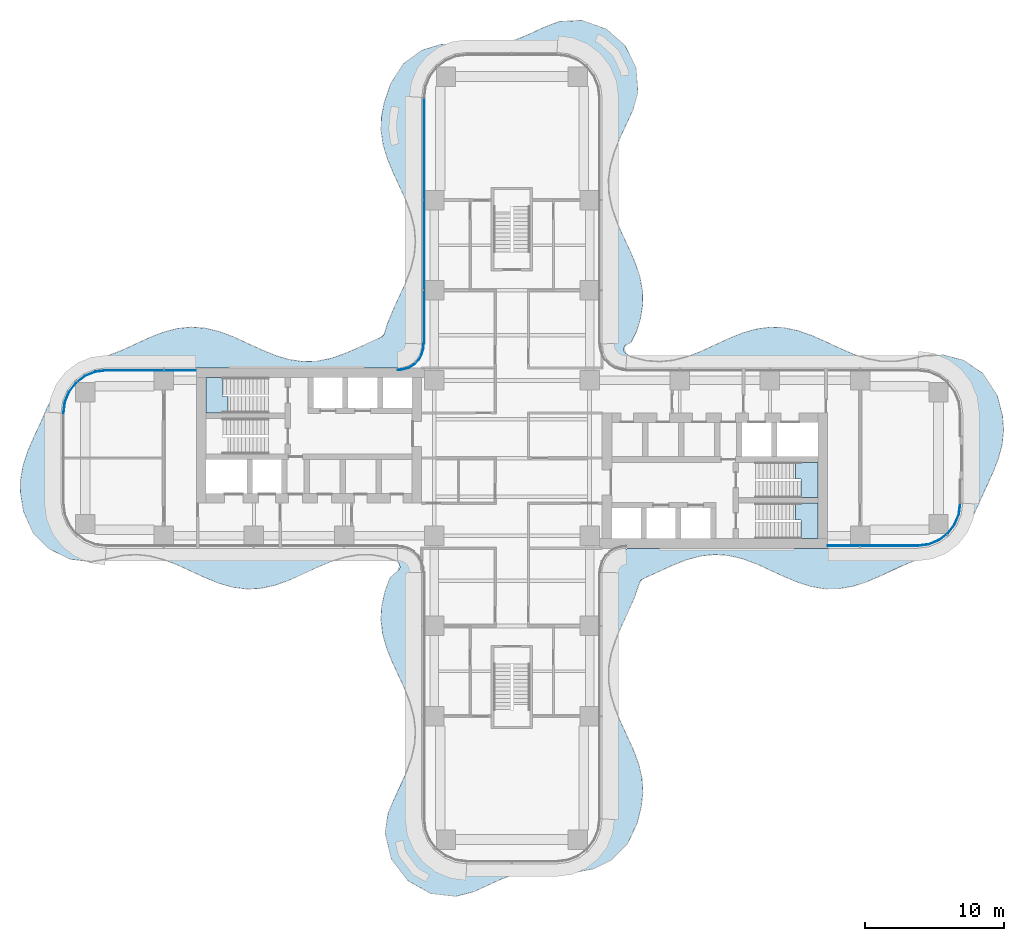
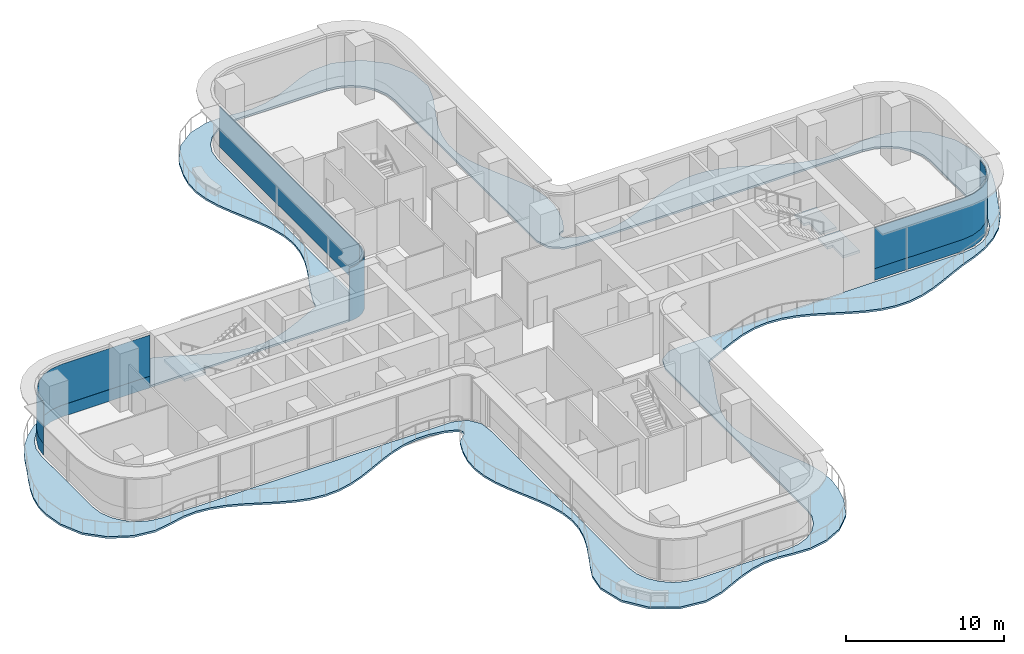
# One storey, part 15 of 22: 6 plates, 4 slabs, 7 elements without a shape of their own.
"""IFC4 building model written with IfcOpenShell, lengths in metres."""

from ifc_helpers import new_model, si_unit, direction, frame, origin, place, context, subcontext, project, spatial, polyline, outline, extrude, source, transform, mapped, material, layer, layer_set, type_object, element, aggregate, save


model = new_model("IFC4")

# Units and contexts
model_context = context("Model", 3, precision=1e-05, world=origin(), true_north=direction((0.0, 1.0)))
body_context = subcontext(model_context, "Body", "Model", "MODEL_VIEW")
ifc_project = project(units=[si_unit("LENGTHUNIT", "METRE"), si_unit("AREAUNIT", "SQUARE_METRE"), si_unit("VOLUMEUNIT", "CUBIC_METRE"), si_unit("PLANEANGLEUNIT", "RADIAN"), si_unit("MASSUNIT", "GRAM", prefix="KILO")], contexts=[model_context])

# Site, building, storey
site_placement = place(None, origin())
site = spatial("IfcSite", under=ifc_project, at=site_placement, CompositionType="ELEMENT")
building_placement = place(site_placement, origin())
building = spatial("IfcBuilding", under=site, at=building_placement, Name="Trellis Farm Tower", CompositionType="ELEMENT")
storey_placement = place(building_placement, frame((0.0, 0.0, 38.5)))
storey = spatial("IfcBuildingStorey", under=building, at=storey_placement, Name="L07", CompositionType="ELEMENT", Elevation=38.5)

# Slab
ifc_material_1 = material(Name="Concrete C40/50", Category="concrete")
ifc_layer_1 = layer(ifc_material_1, 0.14990234375)
ifc_layer_set_1 = layer_set([ifc_layer_1], Name="Balcony slab 150")
slab_type_1 = type_object("IfcSlabType", Name="Balcony slab 150", PredefinedType="FLOOR", material=ifc_layer_set_1)
slab_1_placement = place(storey_placement, frame((0.0, 0.0, -0.14990234375)))
element("IfcSlab", 1, at=slab_1_placement, inside=storey, type_object=slab_type_1, Name="Balcony slab", PredefinedType="FLOOR", context=body_context, shape_type="SweptSolid", body=[
    extrude(outline(polyline([(4.502685546875, -29.87890625), (3.2939453125, -29.819091796875), (3.285400390625, -29.818603515625), (2.224853515625, -29.705078125), (2.212158203125, -29.70458984375), (1.22705078125, -29.766845703125), (1.215087890625, -29.7685546875), (0.275634765625, -29.98095703125), (0.266845703125, -29.9833984375), (-0.758056640625, -30.352294921875), (-0.763916015625, -30.354736328125), (-2.72119140625, -31.250244140625), (-2.745849609375, -31.259033203125), (-4.01611328125, -31.58935546875), (-4.043701171875, -31.593994140625), (-4.079345703125, -31.59619140625), (-4.10693359375, -31.595703125), (-5.8046875, -31.396240234375), (-5.833740234375, -31.389892578125), (-5.8701171875, -31.378173828125), (-5.8974609375, -31.3662109375), (-7.48876953125, -30.46923828125), (-7.51416015625, -30.451171875), (-7.544189453125, -30.424560546875), (-7.5654296875, -30.401611328125), (-8.669921875, -28.921875), (-8.685791015625, -28.8955078125), (-8.702392578125, -28.85986328125), (-8.71240234375, -28.830810546875), (-9.132080078125, -27.053466796875), (-9.135986328125, -27.02490234375), (-9.1376953125, -26.988037109375), (-9.135986328125, -26.95947265625), (-8.93603515625, -25.63720703125), (-8.926025390625, -25.6015625), (-8.5068359375, -24.603515625), (-8.50439453125, -24.597900390625), (-8.037841796875, -23.60205078125), (-8.037353515625, -23.600830078125), (-7.597412109375, -22.613525390625), (-7.59521484375, -22.6083984375), (-7.240478515625, -21.625), (-7.23779296875, -21.6162109375), (-7.01611328125, -20.634765625), (-7.014404296875, -20.622802734375), (-6.955078125, -19.638671875), (-6.95556640625, -19.62548828125), (-7.069580078125, -18.634521484375), (-7.072021484375, -18.623046875), (-7.3583984375, -17.58935546875), (-7.361083984375, -17.58154296875), (-7.754150390625, -16.596923828125), (-7.755615234375, -16.59326171875), (-8.668701171875, -14.613525390625), (-8.672119140625, -14.60546875), (-9.0654296875, -13.60400390625), (-9.070556640625, -13.588623046875), (-9.330810546875, -12.630615234375), (-9.3349609375, -12.608154296875), (-9.4453125, -11.635498046875), (-9.44580078125, -11.609375), (-9.385498046875, -10.634521484375), (-9.382080078125, -10.6103515625), (-9.156982421875, -9.62841796875), (-9.151611328125, -9.610595703125), (-8.809814453125, -8.671875), (-8.791259765625, -8.63671875), (-8.76220703125, -8.595458984375), (-8.73681640625, -8.5673828125), (-8.191650390625, -8.104736328125), (-8.175537109375, -8.085693359375), (-8.08544921875, -7.931884765625), (-8.07568359375, -7.88818359375), (-8.092529296875, -7.709716796875), (-8.09814453125, -7.687255859375), (-8.134521484375, -7.602294921875), (-8.14208984375, -7.5888671875), (-8.21142578125, -7.489990234375), (-8.23388671875, -7.46923828125), (-8.337158203125, -7.40673828125), (-8.35107421875, -7.400146484375), (-9.076904296875, -7.14599609375), (-9.089111328125, -7.142822265625), (-10.07470703125, -6.974365234375), (-10.08740234375, -6.973388671875), (-11.07373046875, -6.97607421875), (-11.08642578125, -6.977294921875), (-12.080322265625, -7.1513671875), (-12.090576171875, -7.15380859375), (-13.11962890625, -7.48876953125), (-13.1259765625, -7.4912109375), (-14.101318359375, -7.9091796875), (-14.103515625, -7.91015625), (-15.10400390625, -8.379150390625), (-15.10693359375, -8.38037109375), (-16.09521484375, -8.81884765625), (-16.105712890625, -8.822998046875), (-17.086181640625, -9.172119140625), (-17.1044921875, -9.177490234375), (-18.07861328125, -9.390869140625), (-18.10302734375, -9.394287109375), (-19.07568359375, -9.444091796875), (-19.101806640625, -9.443115234375), (-20.0791015625, -9.322021484375), (-20.101318359375, -9.317626953125), (-21.086181640625, -9.03955078125), (-21.101318359375, -9.034423828125), (-22.1025390625, -8.6328125), (-22.109375, -8.6298828125), (-24.10791015625, -7.709228515625), (-24.112060546875, -7.70751953125), (-25.114501953125, -7.318603515625), (-25.122802734375, -7.31591796875), (-26.12060546875, -7.054443359375), (-26.1318359375, -7.052490234375), (-27.061279296875, -6.95458984375), (-27.073974609375, -6.95458984375), (-28.064208984375, -7.019287109375), (-28.075927734375, -7.02099609375), (-29.1220703125, -7.25830078125), (-29.129150390625, -7.259521484375), (-30.331298828125, -7.470947265625), (-30.375732421875, -7.47216796875), (-31.815673828125, -7.29345703125), (-31.86279296875, -7.279541015625), (-33.3046875, -6.57958984375), (-33.344482421875, -6.551513671875), (-34.480224609375, -5.4345703125), (-34.498291015625, -5.412841796875), (-34.518310546875, -5.384033203125), (-34.53173828125, -5.360107421875), (-35.205078125, -3.865234375), (-35.21630859375, -3.82763671875), (-35.431884765625, -2.49609375), (-35.433837890625, -2.4697265625), (-35.41748046875, -1.4970703125), (-35.4150390625, -1.4716796875), (-35.232177734375, -0.498291015625), (-35.22705078125, -0.478515625), (-34.9013671875, 0.50048828125), (-34.896728515625, 0.512451171875), (-34.471435546875, 1.499267578125), (-34.469482421875, 1.503662109375), (-34.0009765625, 2.50244140625), (-34.0, 2.5048828125), (-33.520263671875, 3.622802734375), (-33.512939453125, 3.637451171875), (-32.9091796875, 4.702880859375), (-32.89208984375, 4.72705078125), (-32.142578125, 5.5947265625), (-32.12548828125, 5.611572265625), (-31.243408203125, 6.352783203125), (-31.223876953125, 6.36669921875), (-30.23681640625, 6.957275390625), (-30.21337890625, 6.968505859375), (-28.109375, 7.778076171875), (-28.10498046875, 7.77978515625), (-26.10791015625, 8.699462890625), (-26.099365234375, 8.702880859375), (-25.116943359375, 9.083251953125), (-25.100830078125, 9.08837890625), (-24.125, 9.34423828125), (-24.10205078125, 9.348388671875), (-23.1298828125, 9.44677734375), (-23.103271484375, 9.447021484375), (-22.100341796875, 9.3701171875), (-22.076416015625, 9.3662109375), (-21.1015625, 9.128662109375), (-21.08447265625, 9.12353515625), (-20.103271484375, 8.75634765625), (-20.093017578125, 8.752197265625), (-18.11279296875, 7.84228515625), (-18.1103515625, 7.84130859375), (-17.0927734375, 7.41943359375), (-17.085693359375, 7.4169921875), (-16.08642578125, 7.114501953125), (-16.07568359375, 7.112060546875), (-15.0830078125, 6.964599609375), (-15.0703125, 6.9638671875), (-14.0849609375, 6.989013671875), (-14.072509765625, 6.990478515625), (-13.091064453125, 7.18212890625), (-13.081298828125, 7.184814453125), (-12.0986328125, 7.5166015625), (-12.093017578125, 7.518798828125), (-11.115966796875, 7.9423828125), (-11.11376953125, 7.943115234375), (-10.114501953125, 8.412109375), (-10.111083984375, 8.413818359375), (-9.406494140625, 8.72314453125), (-9.392333984375, 8.731201171875), (-9.290283203125, 8.80615234375), (-9.26904296875, 8.830078125), (-9.2080078125, 8.94091796875), (-9.20166015625, 8.955810546875), (-9.00830078125, 9.60986328125), (-9.00341796875, 9.623779296875), (-8.604248046875, 10.60107421875), (-8.601806640625, 10.607177734375), (-7.6865234375, 12.594482421875), (-7.684814453125, 12.598876953125), (-7.30712890625, 13.5830078125), (-7.3046875, 13.591064453125), (-7.051025390625, 14.572509765625), (-7.049072265625, 14.583984375), (-6.95361328125, 15.567138671875), (-6.953369140625, 15.580078125), (-7.030517578125, 16.569580078125), (-7.03271484375, 16.58154296875), (-7.287353515625, 17.617919921875), (-7.2900390625, 17.62646484375), (-7.662109375, 18.610107421875), (-7.6640625, 18.614990234375), (-8.57470703125, 20.594482421875), (-8.576904296875, 20.599853515625), (-8.98388671875, 21.5849609375), (-8.989013671875, 21.59912109375), (-9.290283203125, 22.601318359375), (-9.294921875, 22.622802734375), (-9.43701171875, 23.6005859375), (-9.4384765625, 23.626708984375), (-9.409912109375, 24.599609375), (-9.406982421875, 24.62451171875), (-9.213134765625, 25.597900390625), (-9.20849609375, 25.6162109375), (-8.76318359375, 26.950439453125), (-8.747314453125, 26.98388671875), (-7.84814453125, 28.386962890625), (-7.83154296875, 28.408447265625), (-7.807861328125, 28.433837890625), (-7.786865234375, 28.452392578125), (-6.517578125, 29.383544921875), (-6.472900390625, 29.406005859375), (-5.12158203125, 29.822509765625), (-5.082275390625, 29.8291015625), (-3.857421875, 29.86865234375), (-3.835205078125, 29.86767578125), (-2.7666015625, 29.741943359375), (-2.76025390625, 29.741455078125), (-1.78564453125, 29.710693359375), (-1.77294921875, 29.71142578125), (-0.780517578125, 29.849853515625), (-0.76953125, 29.852294921875), (0.26220703125, 30.158935546875), (0.26953125, 30.161376953125), (1.2548828125, 30.5673828125), (1.2578125, 30.568603515625), (2.248779296875, 31.02978515625), (2.25830078125, 31.03369140625), (3.398681640625, 31.47216796875), (3.445556640625, 31.48193359375), (5.017578125, 31.554931640625), (5.04736328125, 31.553466796875), (5.085205078125, 31.547607421875), (5.114013671875, 31.540283203125), (6.810302734375, 30.9208984375), (6.8359375, 30.90869140625), (6.867431640625, 30.889892578125), (6.890380859375, 30.873046875), (8.126220703125, 29.76904296875), (8.14599609375, 29.747802734375), (8.168701171875, 29.718017578125), (8.183837890625, 29.693359375), (8.940185546875, 28.1474609375), (8.9501953125, 28.120361328125), (8.9599609375, 28.084228515625), (8.96484375, 28.055908203125), (9.08203125, 26.365478515625), (9.081298828125, 26.3388671875), (9.07763671875, 26.3046875), (9.072509765625, 26.278564453125), (8.724609375, 25.096435546875), (8.716796875, 25.076171875), (7.810546875, 23.107666015625), (7.809326171875, 23.104736328125), (7.393310546875, 22.086181640625), (7.390869140625, 22.078857421875), (7.098388671875, 21.080078125), (7.095947265625, 21.069091796875), (6.960693359375, 20.076904296875), (6.9599609375, 20.06396484375), (6.99755859375, 19.0791015625), (6.9990234375, 19.06689453125), (7.20166015625, 18.08544921875), (7.204345703125, 18.076171875), (7.544921875, 17.093017578125), (7.546875, 17.087646484375), (7.9794921875, 16.1005859375), (7.980224609375, 16.09912109375), (8.447021484375, 15.1044921875), (8.44873046875, 15.100341796875), (8.881103515625, 14.104248046875), (8.885498046875, 14.092529296875), (9.218505859375, 13.104248046875), (9.223876953125, 13.084716796875), (9.412353515625, 12.1044921875), (9.4150390625, 12.079345703125), (9.435546875, 11.105712890625), (9.433837890625, 11.079833984375), (9.285400390625, 10.10693359375), (9.280517578125, 10.0859375), (8.991943359375, 9.13671875), (8.982177734375, 9.1123046875), (8.611572265625, 8.383056640625), (8.577392578125, 8.3388671875), (8.528076171875, 8.295166015625), (8.48046875, 8.2666015625), (8.299072265625, 8.19970703125), (8.282958984375, 8.19140625), (8.165771484375, 8.111328125), (8.14208984375, 8.084716796875), (8.080810546875, 7.96826171875), (8.072265625, 7.931884765625), (8.07763671875, 7.7412109375), (8.093505859375, 7.6982421875), (8.2001953125, 7.5625), (8.216552734375, 7.547119140625), (8.553466796875, 7.3154296875), (8.565185546875, 7.308837890625), (8.667724609375, 7.262939453125), (8.680908203125, 7.258544921875), (9.63330078125, 7.029541015625), (9.645263671875, 7.027587890625), (10.634521484375, 6.95361328125), (10.647705078125, 6.953857421875), (11.630615234375, 7.05224609375), (11.64208984375, 7.05419921875), (12.62353515625, 7.310302734375), (12.631591796875, 7.31298828125), (13.595947265625, 7.68408203125), (13.600341796875, 7.685791015625), (15.599853515625, 8.606201171875), (15.60595703125, 8.60888671875), (16.607421875, 9.015625), (16.6220703125, 9.0205078125), (17.607421875, 9.30615234375), (17.62939453125, 9.310791015625), (18.606689453125, 9.44091796875), (18.6328125, 9.44189453125), (19.605712890625, 9.401123046875), (19.63037109375, 9.398193359375), (20.604248046875, 9.19287109375), (20.622802734375, 9.187744140625), (21.60302734375, 8.8447265625), (21.614013671875, 8.84033203125), (22.601806640625, 8.405517578125), (22.60498046875, 8.40380859375), (23.604736328125, 7.934814453125), (23.60693359375, 7.933837890625), (24.611328125, 7.501220703125), (24.6171875, 7.498779296875), (25.572021484375, 7.1796875), (25.581787109375, 7.17724609375), (26.56298828125, 6.988525390625), (26.575927734375, 6.9873046875), (27.621337890625, 6.96923828125), (27.63427734375, 6.97021484375), (28.6064453125, 7.123291015625), (28.611328125, 7.124267578125), (29.717041015625, 7.374267578125), (29.74365234375, 7.377685546875), (31.069091796875, 7.435546875), (31.11328125, 7.430908203125), (32.511962890625, 7.07080078125), (32.53662109375, 7.06201171875), (32.567626953125, 7.048095703125), (32.59033203125, 7.03515625), (33.930419921875, 6.1162109375), (33.95263671875, 6.09765625), (33.978759765625, 6.071044921875), (33.997314453125, 6.0478515625), (34.97021484375, 4.5517578125), (34.98974609375, 4.5078125), (35.367919921875, 3.056396484375), (35.372314453125, 3.02978515625), (35.447265625, 2.02685546875), (35.447021484375, 2.00048828125), (35.34521484375, 0.997802734375), (35.3408203125, 0.974609375), (35.08251953125, -0.001220703125), (35.077392578125, -0.01708984375), (34.69921875, -0.990478515625), (34.696044921875, -0.998291015625), (33.265380859375, -4.1513671875), (33.252197265625, -4.1748046875), (32.530029296875, -5.217041015625), (32.50927734375, -5.2412109375), (31.678955078125, -6.0185546875), (31.660888671875, -6.032958984375), (30.739501953125, -6.6611328125), (30.719482421875, -6.672607421875), (29.69970703125, -7.158203125), (29.687744140625, -7.1630859375), (28.589599609375, -7.572509765625), (28.585205078125, -7.57421875), (27.59521484375, -8.012451171875), (27.59375, -8.01318359375), (26.59814453125, -8.47998046875), (26.59375, -8.48193359375), (25.6123046875, -8.90380859375), (25.60009765625, -8.908203125), (24.621337890625, -9.231689453125), (24.601318359375, -9.23681640625), (23.5986328125, -9.419921875), (23.572998046875, -9.422119140625), (22.599365234375, -9.430419921875), (22.57421875, -9.428466796875), (21.625, -9.274169921875), (21.6044921875, -9.269287109375), (20.602294921875, -8.9560546875), (20.5888671875, -8.951171875), (19.602783203125, -8.53662109375), (19.598388671875, -8.53466796875), (17.618896484375, -7.626708984375), (17.61376953125, -7.62451171875), (16.63037109375, -7.261962890625), (16.62158203125, -7.259521484375), (15.640380859375, -7.02685546875), (15.62841796875, -7.02490234375), (14.644775390625, -6.953857421875), (14.631591796875, -6.9541015625), (13.64111328125, -7.055908203125), (13.62939453125, -7.057861328125), (12.594970703125, -7.333984375), (12.5869140625, -7.336669921875), (11.602294921875, -7.72314453125), (11.5986328125, -7.724609375), (9.435302734375, -8.711181640625), (9.423828125, -8.7177734375), (9.314453125, -8.793701171875), (9.2919921875, -8.818115234375), (9.226806640625, -8.934326171875), (9.221435546875, -8.9462890625), (8.81591796875, -10.1083984375), (8.811279296875, -10.1201171875), (8.3720703125, -11.10791015625), (8.370849609375, -11.110595703125), (7.90185546875, -12.111328125), (7.90087890625, -12.11376953125), (7.484375, -13.0888671875), (7.48193359375, -13.094970703125), (7.1611328125, -14.077392578125), (7.15869140625, -14.08740234375), (6.98095703125, -15.06884765625), (6.979736328125, -15.08154296875), (6.97021484375, -16.0673828125), (6.97119140625, -16.080078125), (7.13330078125, -17.073486328125), (7.135986328125, -17.083984375), (7.450439453125, -18.083740234375), (7.452880859375, -18.09033203125), (7.881591796875, -19.106689453125), (7.882568359375, -19.10888671875), (8.789306640625, -21.089111328125), (8.793701171875, -21.10009765625), (9.15087890625, -22.080810546875), (9.15625, -22.098388671875), (9.380615234375, -23.07275390625), (9.384033203125, -23.09716796875), (9.4453125, -24.10009765625), (9.444580078125, -24.12646484375), (9.332275390625, -25.098388671875), (9.328857421875, -25.1171875), (9.03369140625, -26.318603515625), (9.0234375, -26.3466796875), (8.33154296875, -27.812744140625), (8.318359375, -27.83544921875), (8.298583984375, -27.86328125), (8.281494140625, -27.88330078125), (7.21142578125, -28.941650390625), (7.1728515625, -28.96923828125), (5.90771484375, -29.599609375), (5.8701171875, -29.612548828125), (4.539306640625, -29.87646484375), (4.502685546875, -29.87890625)]), holes=[polyline([(-7.2119140625, -6.8232421875), (-7.16650390625, -6.856689453125), (-7.134033203125, -6.8896484375), (-6.644287109375, -7.569091796875), (-6.6259765625, -7.603271484375), (-6.6083984375, -7.64892578125), (-6.599365234375, -7.686767578125), (-6.500732421875, -8.61083984375), (-6.50048828125, -8.615478515625), (-6.50048828125, -26.0), (-6.389892578125, -26.84130859375), (-6.065185546875, -27.625244140625), (-5.548583984375, -28.298583984375), (-4.875244140625, -28.815185546875), (-4.09130859375, -29.139892578125), (-3.25, -29.25048828125), (3.25, -29.25048828125), (4.09130859375, -29.139892578125), (4.875244140625, -28.815185546875), (5.548583984375, -28.298583984375), (6.065185546875, -27.625244140625), (6.389892578125, -26.84130859375), (6.50048828125, -26.0), (6.50048828125, -23.778076171875), (6.5078125, -8.16259765625), (6.515380859375, -8.115478515625), (6.802490234375, -7.251953125), (6.824462890625, -7.209716796875), (6.858154296875, -7.16455078125), (6.89111328125, -7.132080078125), (7.571533203125, -6.6435546875), (7.60546875, -6.625244140625), (7.651123046875, -6.60791015625), (7.688720703125, -6.598876953125), (8.61328125, -6.500732421875), (8.617919921875, -6.50048828125), (29.25, -6.50048828125), (30.09130859375, -6.389892578125), (30.875244140625, -6.065185546875), (31.548583984375, -5.548583984375), (32.065185546875, -4.875244140625), (32.389892578125, -4.09130859375), (32.50048828125, -3.25), (32.50048828125, 3.25), (32.389892578125, 4.09130859375), (32.065185546875, 4.875244140625), (31.548583984375, 5.548583984375), (30.875244140625, 6.065185546875), (30.09130859375, 6.389892578125), (29.25, 6.50048828125), (8.617919921875, 6.50048828125), (8.61328125, 6.500732421875), (7.688720703125, 6.598876953125), (7.651123046875, 6.60791015625), (7.60546875, 6.625244140625), (7.571533203125, 6.6435546875), (6.89111328125, 7.132080078125), (6.858154296875, 7.16455078125), (6.824462890625, 7.209716796875), (6.802490234375, 7.251953125), (6.515380859375, 8.115478515625), (6.5078125, 8.16259765625), (6.50048828125, 23.7255859375), (6.50048828125, 26.0), (6.389892578125, 26.84130859375), (6.065185546875, 27.625244140625), (5.548583984375, 28.298583984375), (4.875244140625, 28.815185546875), (4.09130859375, 29.139892578125), (3.25, 29.25048828125), (-3.25, 29.25048828125), (-4.09130859375, 29.139892578125), (-4.875244140625, 28.815185546875), (-5.548583984375, 28.298583984375), (-6.065185546875, 27.625244140625), (-6.389892578125, 26.84130859375), (-6.50048828125, 26.0), (-6.50048828125, 8.615478515625), (-6.500732421875, 8.61083984375), (-6.599365234375, 7.686767578125), (-6.6083984375, 7.64892578125), (-6.6259765625, 7.603271484375), (-6.644287109375, 7.569091796875), (-7.134033203125, 6.8896484375), (-7.16650390625, 6.856689453125), (-7.2119140625, 6.8232421875), (-7.25390625, 6.801513671875), (-8.11767578125, 6.51513671875), (-8.164794921875, 6.507568359375), (-27.41845703125, 6.50048828125), (-29.25, 6.50048828125), (-30.09130859375, 6.389892578125), (-30.875244140625, 6.065185546875), (-31.548583984375, 5.548583984375), (-32.065185546875, 4.875244140625), (-32.389892578125, 4.09130859375), (-32.50048828125, 3.25), (-32.50048828125, -3.25), (-32.389892578125, -4.09130859375), (-32.065185546875, -4.875244140625), (-31.548583984375, -5.548583984375), (-30.875244140625, -6.065185546875), (-30.09130859375, -6.389892578125), (-29.25, -6.50048828125), (-27.418701171875, -6.50048828125), (-8.164794921875, -6.507568359375), (-8.11767578125, -6.51513671875), (-7.25390625, -6.801513671875), (-7.2119140625, -6.8232421875)])]), origin(), (0.0, 0.0, 1.0), 0.14990234375),
])

# Stair, slab
ifc_material_2 = material(Name="Concrete C50/60", Category="concrete")
stair_type = type_object("IfcStairType", Name="CORE EXIT STAIR 26 RISERS 173 MM", PredefinedType="HALF_TURN_STAIR", material=ifc_material_2)
placement_1 = place(storey_placement, origin())
stair_1 = element("IfcStair", 2, at=placement_1, inside=storey, type_object=stair_type, Name="Exit stair E1", PredefinedType="HALF_TURN_STAIR")
ifc_layer_2 = layer(ifc_material_2, 0.18994140625)
ifc_layer_set_2 = layer_set([ifc_layer_2], Name="CORE STAIR LANDING 190 CONCRETE C50/60")
slab_type_2 = type_object("IfcSlabType", Name="CORE STAIR LANDING 190 CONCRETE C50/60", PredefinedType="LANDING", material=ifc_layer_set_2)
shared_shape_1 = source(origin(), body_context, "Body", "SweptSolid", [
    extrude(outline(polyline([(20.840087890625, -5.800048828125), (20.840087890625, -4.60009765625), (20.85009765625, -4.60009765625), (20.85009765625, -4.449951171875), (20.453125, -4.449951171875), (20.453125, -3.25), (20.85009765625, -3.25), (22.050048828125, -3.25), (22.050048828125, -5.800048828125), (20.85009765625, -5.800048828125), (20.840087890625, -5.800048828125)])), origin(), (0.0, 0.0, 1.0), 0.18994140625),
])
placement_2 = place(storey_placement, frame((0.0, 0.0, 2.06005859375)))
slab_2 = element("IfcSlab", 3, at=placement_2, type_object=slab_type_2, Name="STE1 landing 1", PredefinedType="LANDING", context=body_context, shape_type="MappedRepresentation", body=[
    mapped(shared_shape_1, transform((0.0, 0.0, 0.0))),
])
aggregate(stair_1, [slab_2])

stair_2 = element("IfcStair", 4, at=placement_1, inside=storey, type_object=stair_type, Name="Exit stair E2", PredefinedType="HALF_TURN_STAIR")
shared_shape_2 = source(origin(), body_context, "Body", "SweptSolid", [
    extrude(outline(polyline([(20.840087890625, -2.85009765625), (20.840087890625, -1.64990234375), (20.85009765625, -1.64990234375), (20.85009765625, -1.5), (20.453125, -1.5), (20.453125, -0.300048828125), (20.85009765625, -0.300048828125), (22.050048828125, -0.300048828125), (22.050048828125, -2.85009765625), (20.85009765625, -2.85009765625), (20.840087890625, -2.85009765625)])), origin(), (0.0, 0.0, 1.0), 0.18994140625),
])
slab_3 = element("IfcSlab", 5, at=placement_2, type_object=slab_type_2, Name="STE2 landing 1", PredefinedType="LANDING", context=body_context, shape_type="MappedRepresentation", body=[
    mapped(shared_shape_2, transform((0.0, 0.0, 0.0))),
])
aggregate(stair_2, [slab_3])

stair_3 = element("IfcStair", 6, at=placement_1, inside=storey, type_object=stair_type, Name="Exit stair W1", PredefinedType="HALF_TURN_STAIR")
shared_shape_3 = source(origin(), body_context, "Body", "SweptSolid", [
    extrude(outline(polyline([(-20.453125, 4.449951171875), (-20.453125, 3.25), (-20.85009765625, 3.25), (-22.050048828125, 3.25), (-22.050048828125, 5.800048828125), (-20.85009765625, 5.800048828125), (-20.840087890625, 5.800048828125), (-20.840087890625, 4.60009765625), (-20.85009765625, 4.60009765625), (-20.85009765625, 4.449951171875), (-20.453125, 4.449951171875)])), origin(), (0.0, 0.0, 1.0), 0.18994140625),
])
slab_4 = element("IfcSlab", 7, at=placement_2, type_object=slab_type_2, Name="STW1 landing 1", PredefinedType="LANDING", context=body_context, shape_type="MappedRepresentation", body=[
    mapped(shared_shape_3, transform((0.0, 0.0, 0.0))),
])
aggregate(stair_3, [slab_4])

# Curtain wall, plates
ifc_material_3 = material(Name="Aluminium and glass curtain wall", Category="aluminium")
ifc_layer_3 = layer(ifc_material_3, 0.18994140625)
ifc_layer_set_3 = layer_set([ifc_layer_3], Name="RIBBON CURTAIN WALL CW1")
curtain_wall_type_1 = type_object("IfcCurtainWallType", Name="RIBBON CURTAIN WALL CW1", PredefinedType="NOTDEFINED", material=ifc_layer_set_3)
curtain_wall_1 = element("IfcCurtainWall", 8, at=placement_1, inside=storey, type_object=curtain_wall_type_1, Name="CW1 005", PredefinedType="NOTDEFINED")
ifc_material_4 = material(Name="Clear insulated glass", Category="glass")
ifc_layer_4 = layer(ifc_material_4, 0.0400390625)
ifc_layer_set_4 = layer_set([ifc_layer_4], Name="CW1 GLASS PANEL 40")
plate_type_1 = type_object("IfcPlateType", Name="CW1 GLASS PANEL 40", PredefinedType="CURTAIN_PANEL", material=ifc_layer_set_4)
shared_shape_4 = source(origin(), body_context, "Body", "SweptSolid", [
    extrude(outline(polyline([(22.780029296875, -6.35009765625), (29.240234375, -6.35009765625), (30.052001953125, -6.2431640625), (30.79931640625, -5.93359375), (31.441162109375, -5.441162109375), (31.93359375, -4.79931640625), (32.2431640625, -4.052001953125), (32.35009765625, -3.240234375), (32.31005859375, -3.237548828125), (32.2041015625, -4.04150390625), (31.898681640625, -4.779296875), (31.41259765625, -5.41259765625), (30.779296875, -5.898681640625), (30.04150390625, -6.2041015625), (29.237548828125, -6.31005859375), (22.780029296875, -6.31005859375), (22.780029296875, -6.35009765625)])), origin(), (0.0, 0.0, 1.0), 3.170166015625),
])
placement_3 = place(storey_placement, frame((0.0, 0.0, 0.89990234375)))
plate_1 = element("IfcPlate", 9, at=placement_3, type_object=plate_type_1, Name="PL1 005", PredefinedType="CURTAIN_PANEL", context=body_context, shape_type="MappedRepresentation", body=[
    mapped(shared_shape_4, transform((0.0, 0.0, 0.0))),
])
ifc_material_5 = material(Name="Sandstone faced insulated panel", Category="masonry")
ifc_layer_5 = layer(ifc_material_5, 0.050048828125)
ifc_layer_set_5 = layer_set([ifc_layer_5], Name="CW1 STONE SPANDREL PANEL 50")
plate_type_2 = type_object("IfcPlateType", Name="CW1 STONE SPANDREL PANEL 50", PredefinedType="CURTAIN_PANEL", material=ifc_layer_set_5)
shared_shape_5 = source(origin(), body_context, "Body", "SweptSolid", [
    extrude(outline(polyline([(22.780029296875, -6.35009765625), (29.240234375, -6.35009765625), (30.052001953125, -6.2431640625), (30.79931640625, -5.93359375), (31.441162109375, -5.441162109375), (31.93359375, -4.79931640625), (32.2431640625, -4.052001953125), (32.35009765625, -3.240234375), (32.300048828125, -3.23681640625), (32.1943359375, -4.0390625), (31.889892578125, -4.774169921875), (31.405517578125, -5.405517578125), (30.774169921875, -5.889892578125), (30.0390625, -6.1943359375), (29.23681640625, -6.300048828125), (22.780029296875, -6.300048828125), (22.780029296875, -6.35009765625)])), origin(), (0.0, 0.0, 1.0), 0.89990234375),
])
plate_2 = element("IfcPlate", 10, at=placement_1, type_object=plate_type_2, Name="PS1 005", PredefinedType="CURTAIN_PANEL", context=body_context, shape_type="MappedRepresentation", body=[
    mapped(shared_shape_5, transform((0.0, 0.0, 0.0))),
])
aggregate(curtain_wall_1, [plate_1, plate_2])

# Curtain wall, plate
curtain_wall_2 = element("IfcCurtainWall", 11, at=placement_1, inside=storey, type_object=curtain_wall_type_1, Name="CW1 011", PredefinedType="NOTDEFINED")
shared_shape_6 = source(origin(), body_context, "Body", "SweptSolid", [
    extrude(outline(polyline([(-6.35009765625, 25.990234375), (-6.35009765625, 8.2265625), (-6.31005859375, 8.22509765625), (-6.31005859375, 25.987548828125), (-6.35009765625, 25.990234375)])), origin(), (0.0, 0.0, 1.0), 3.170166015625),
])
plate_3 = element("IfcPlate", 12, at=placement_3, type_object=plate_type_1, Name="PL1 011", PredefinedType="CURTAIN_PANEL", context=body_context, shape_type="MappedRepresentation", body=[
    mapped(shared_shape_6, transform((0.0, 0.0, 0.0))),
])
aggregate(curtain_wall_2, [plate_3])

ifc_layer_6 = layer(ifc_material_3, 0.166015625)
ifc_layer_set_6 = layer_set([ifc_layer_6], Name="WINTER GARDEN CURTAIN WALL CW3")
curtain_wall_type_2 = type_object("IfcCurtainWallType", Name="WINTER GARDEN CURTAIN WALL CW3", PredefinedType="NOTDEFINED", material=ifc_layer_set_6)
curtain_wall_3 = element("IfcCurtainWall", 13, at=placement_1, inside=storey, type_object=curtain_wall_type_2, Name="CW3 004", PredefinedType="NOTDEFINED")
ifc_layer_7 = layer(ifc_material_4, 0.0458984375)
ifc_layer_set_7 = layer_set([ifc_layer_7], Name="CW3 GLASS PANEL 46")
plate_type_3 = type_object("IfcPlateType", Name="CW3 GLASS PANEL 46", PredefinedType="CURTAIN_PANEL", material=ifc_layer_set_7)
shared_shape_7 = source(origin(), body_context, "Body", "SweptSolid", [
    extrude(outline(polyline([(-6.3798828125, 8.2275390625), (-6.394287109375, 8.0078125), (-6.40966796875, 7.89208984375), (-6.52490234375, 7.462158203125), (-6.7509765625, 7.070556640625), (-7.070556640625, 6.7509765625), (-7.462158203125, 6.52490234375), (-7.89208984375, 6.40966796875), (-8.0078125, 6.394287109375), (-8.2275390625, 6.3798828125), (-8.22607421875, 6.333984375), (-8.003173828125, 6.3486328125), (-7.883056640625, 6.364501953125), (-7.4443359375, 6.48193359375), (-7.04248046875, 6.714111328125), (-6.714111328125, 7.04248046875), (-6.48193359375, 7.4443359375), (-6.364501953125, 7.883056640625), (-6.3486328125, 8.003173828125), (-6.333984375, 8.22607421875), (-6.3798828125, 8.2275390625)])), origin(), (0.0, 0.0, 1.0), 4.10009765625),
])
plate_4 = element("IfcPlate", 14, at=placement_1, type_object=plate_type_3, Name="PL3 004", PredefinedType="CURTAIN_PANEL", context=body_context, shape_type="MappedRepresentation", body=[
    mapped(shared_shape_7, transform((0.0, 0.0, 0.0))),
])
aggregate(curtain_wall_3, [plate_4])

# Curtain wall, plates
curtain_wall_4 = element("IfcCurtainWall", 15, at=placement_1, inside=storey, type_object=curtain_wall_type_1, Name="CW1 012", PredefinedType="NOTDEFINED")
shared_shape_8 = source(origin(), body_context, "Body", "SweptSolid", [
    extrude(outline(polyline([(-22.780029296875, 6.35009765625), (-29.240234375, 6.35009765625), (-30.052001953125, 6.2431640625), (-30.79931640625, 5.93359375), (-31.441162109375, 5.441162109375), (-31.93359375, 4.79931640625), (-32.2431640625, 4.052001953125), (-32.35009765625, 3.240234375), (-32.31005859375, 3.237548828125), (-32.2041015625, 4.04150390625), (-31.898681640625, 4.779296875), (-31.41259765625, 5.41259765625), (-30.779296875, 5.898681640625), (-30.04150390625, 6.2041015625), (-29.237548828125, 6.31005859375), (-22.780029296875, 6.31005859375), (-22.780029296875, 6.35009765625)])), origin(), (0.0, 0.0, 1.0), 3.170166015625),
])
plate_5 = element("IfcPlate", 16, at=placement_3, type_object=plate_type_1, Name="PL1 012", PredefinedType="CURTAIN_PANEL", context=body_context, shape_type="MappedRepresentation", body=[
    mapped(shared_shape_8, transform((0.0, 0.0, 0.0))),
])
shared_shape_9 = source(origin(), body_context, "Body", "SweptSolid", [
    extrude(outline(polyline([(-22.780029296875, 6.35009765625), (-29.240234375, 6.35009765625), (-30.052001953125, 6.2431640625), (-30.79931640625, 5.93359375), (-31.441162109375, 5.441162109375), (-31.93359375, 4.79931640625), (-32.2431640625, 4.052001953125), (-32.35009765625, 3.240234375), (-32.300048828125, 3.23681640625), (-32.1943359375, 4.0390625), (-31.889892578125, 4.774169921875), (-31.405517578125, 5.405517578125), (-30.774169921875, 5.889892578125), (-30.0390625, 6.1943359375), (-29.23681640625, 6.300048828125), (-22.780029296875, 6.300048828125), (-22.780029296875, 6.35009765625)])), origin(), (0.0, 0.0, 1.0), 0.89990234375),
])
plate_6 = element("IfcPlate", 17, at=placement_1, type_object=plate_type_2, Name="PS1 012", PredefinedType="CURTAIN_PANEL", context=body_context, shape_type="MappedRepresentation", body=[
    mapped(shared_shape_9, transform((0.0, 0.0, 0.0))),
])
aggregate(curtain_wall_4, [plate_5, plate_6])

save(model, "model.ifc")
